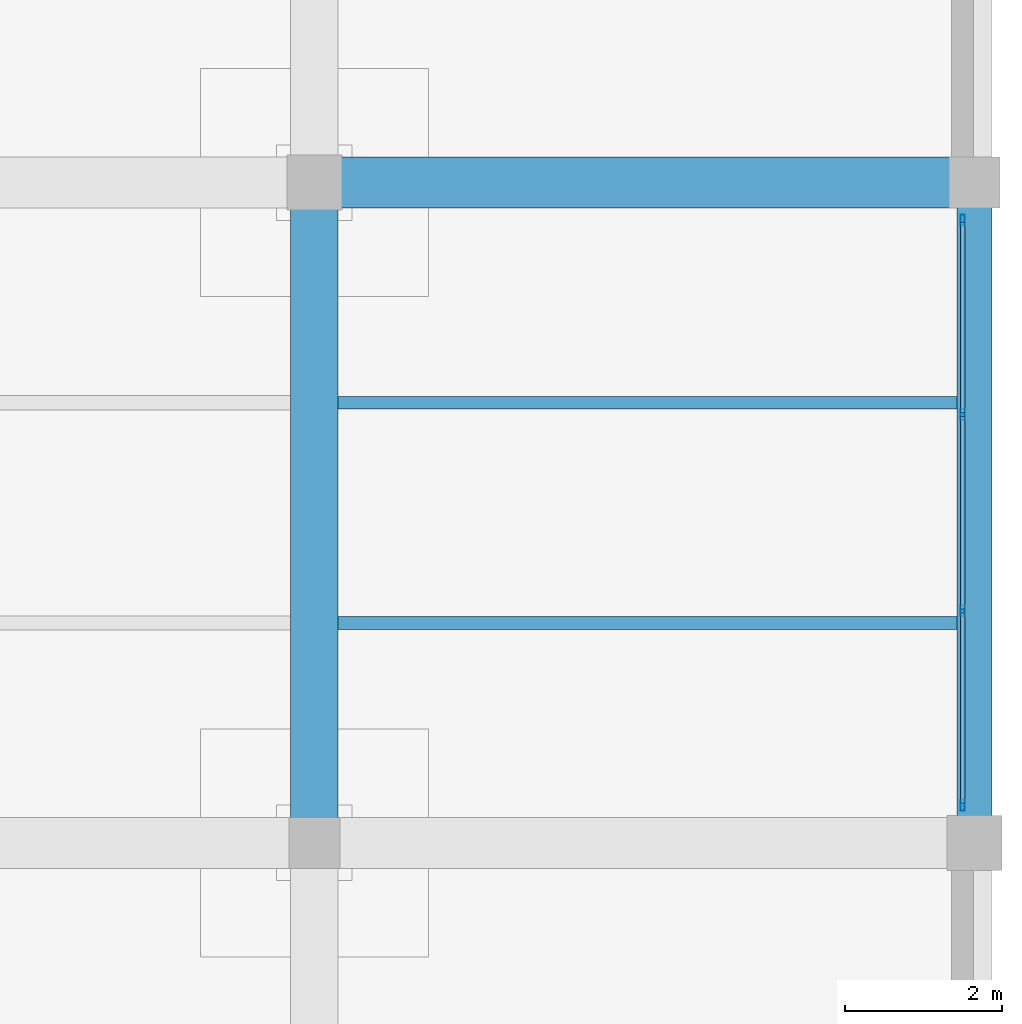
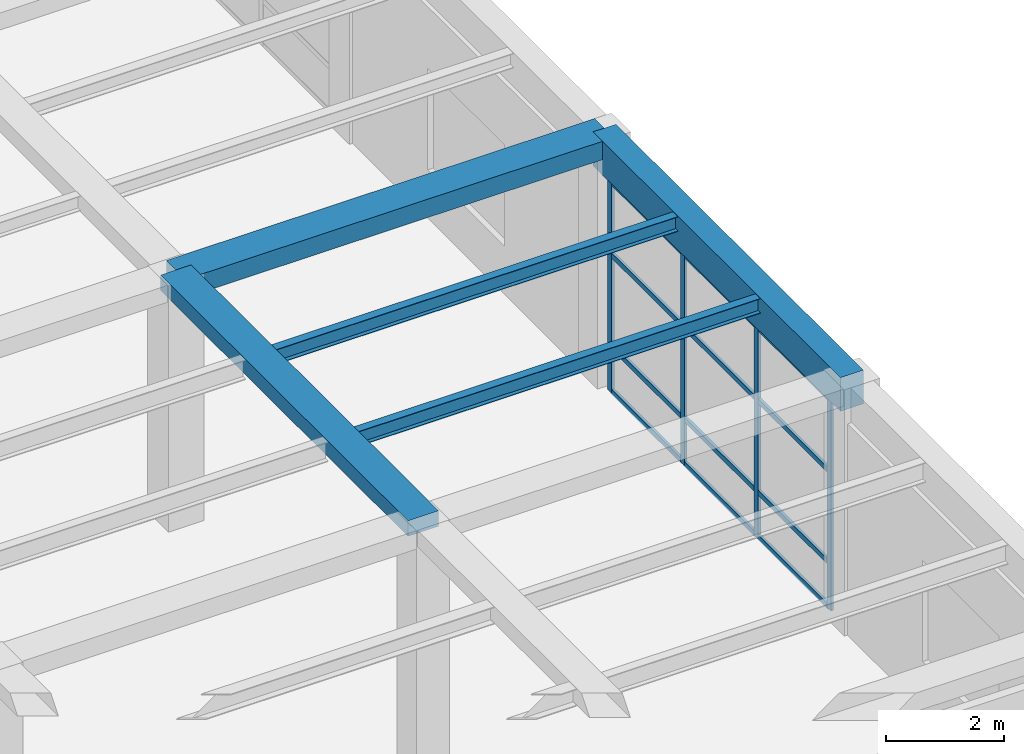
# One storey, part 54 of 96: 16 members, 5 beams, 1 element without a shape of its own.
"""IFC4 building model written with IfcOpenShell, lengths in metres."""

from ifc_helpers import new_model, si_unit, direction, frame, origin, origin_2d, place, context, subcontext, project, spatial, rectangle, hollow_rectangle, i_section, extrude, material, material_profile, profile_set, type_object, element, aggregate, save


model = new_model("IFC4")

# Units and contexts
model_context = context("Model", 3, precision=1e-05, world=origin(), true_north=direction((0.0, 1.0)))
body_context = subcontext(model_context, "Body", "Model", "MODEL_VIEW")
ifc_project = project(units=[si_unit("LENGTHUNIT", "METRE"), si_unit("AREAUNIT", "SQUARE_METRE"), si_unit("VOLUMEUNIT", "CUBIC_METRE"), si_unit("PLANEANGLEUNIT", "RADIAN"), si_unit("MASSUNIT", "GRAM", prefix="KILO")], contexts=[model_context])

# Site, building, storey
site_placement = place(None, origin())
site = spatial("IfcSite", under=ifc_project, at=site_placement, CompositionType="ELEMENT")
building_placement = place(site_placement, origin())
building = spatial("IfcBuilding", under=site, at=building_placement, Name="Almacenes y Pasaje Nevantli", CompositionType="ELEMENT")
storey_placement = place(building_placement, frame((0.0, 0.0, 6.0)))
storey = spatial("IfcBuildingStorey", under=building, at=storey_placement, Name="L02", CompositionType="ELEMENT", Elevation=6.0)

# Beams
ifc_material_1 = material(Name="Concrete C35/45", Category="concrete")
ifc_material_profile_1 = material_profile(ifc_material_1, rectangle(XDim=0.449951171875, YDim=0.699951171875, at=origin_2d()), Name="RC-BM-450x700")
ifc_profile_set_1 = profile_set([ifc_material_profile_1], Name="Concrete C35/45")
beam_type_1 = type_object("IfcBeamType", Name="BM-RC-450x700", PredefinedType="SPANDREL", material=ifc_profile_set_1)
beam_1_placement = place(storey_placement, frame((168.0, 50.39990234375, 4.75), z_axis=(0.0, 1.0, 0.0), x_axis=(-1.0, 0.0, 0.0)))
element("IfcBeam", 1, at=beam_1_placement, inside=storey, type_object=beam_type_1, Name="L02 North-South Reinforced Concrete Beam #2195", PredefinedType="SPANDREL", context=body_context, shape_type="SweptSolid", body=[
    extrude(rectangle(XDim=0.449951171875, YDim=0.699951171875, at=origin_2d()), origin(), (0.0, 0.0, 1.0), 8.400146484375),
])
ifc_material_2 = material(Name="Concrete C35/45", Category="concrete")
ifc_material_profile_2 = material_profile(ifc_material_2, rectangle(XDim=0.60009765625, YDim=0.320068359375, at=origin_2d()), Name="RC-BM-600x320")
ifc_profile_set_2 = profile_set([ifc_material_profile_2], Name="Concrete C35/45")
beam_type_2 = type_object("IfcBeamType", Name="BM-RC-600x320", PredefinedType="BEAM", material=ifc_profile_set_2)
beam_2_placement = place(storey_placement, frame((159.60009765625, 50.39990234375, 4.93994140625), z_axis=(0.0, 1.0, 0.0), x_axis=(-1.0, 0.0, 0.0)))
element("IfcBeam", 2, at=beam_2_placement, inside=storey, type_object=beam_type_2, Name="L02 North-South Reinforced Concrete Beam #2181", PredefinedType="BEAM", context=body_context, shape_type="SweptSolid", body=[
    extrude(rectangle(XDim=0.60009765625, YDim=0.320068359375, at=origin_2d()), origin(), (0.0, 0.0, 1.0), 8.400146484375),
])
ifc_material_3 = material(Name="Concrete C35/45", Category="concrete")
ifc_material_profile_3 = material_profile(ifc_material_3, rectangle(XDim=0.64990234375, YDim=0.3798828125, at=origin_2d()), Name="RC-BM-650x380")
ifc_profile_set_3 = profile_set([ifc_material_profile_3], Name="Concrete C35/45")
beam_type_3 = type_object("IfcBeamType", Name="BM-RC-650x380", PredefinedType="BEAM", material=ifc_profile_set_3)
beam_3_placement = place(storey_placement, frame((159.60009765625, 58.800048828125, 4.909912109375), z_axis=(1.0, 0.0, 0.0), x_axis=(0.0, 1.0, 0.0)))
element("IfcBeam", 3, at=beam_3_placement, inside=storey, type_object=beam_type_3, Name="L02 East-West Reinforced Concrete Beam #1846", PredefinedType="BEAM", context=body_context, shape_type="SweptSolid", body=[
    extrude(rectangle(XDim=0.64990234375, YDim=0.3798828125, at=origin_2d()), origin(), (0.0, 0.0, 1.0), 8.39990234375),
])
ifc_material_4 = material(Name="Steel ASTM A992", Category="steel")
ifc_material_profile_4 = material_profile(ifc_material_4, i_section(OverallWidth=0.1650390625, OverallDepth=0.306884765625, WebThickness=0.006591796875, FlangeThickness=0.01025390625, at=origin_2d()), Name="IR 305x44.6")
ifc_profile_set_4 = profile_set([ifc_material_profile_4], Name="Steel ASTM A992")
beam_type_4 = type_object("IfcBeamType", Name="BM-STL-IR-305x44p6", PredefinedType="JOIST", material=ifc_profile_set_4)
for number, where, z_axis, x_axis, name in (
    (4, (159.89990234375, 53.199951171875, 4.9384765625), (1.0, 0.0, 0.0), (0.0, 1.0, 0.0), "L02 Secondary Steel Floor Joist #661"),
    (5, (159.89990234375, 56.0, 4.9384765625), (1.0, 0.0, 0.0), (0.0, 1.0, 0.0), "L02 Secondary Steel Floor Joist #662"),
):
    element("IfcBeam", number, at=place(storey_placement, frame(where, z_axis=z_axis, x_axis=x_axis)), inside=storey, type_object=beam_type_4, Name=name, PredefinedType="JOIST", context=body_context, shape_type="SweptSolid", body=[
        extrude(i_section(OverallWidth=0.1650390625, OverallDepth=0.306884765625, WebThickness=0.006591796875, FlangeThickness=0.01025390625, at=origin_2d()), origin(), (0.0, 0.0, 1.0), 7.875),
    ])

# Curtain wall, members
ifc_material_5 = material(Name="Thermally Broken Aluminium and Low-E Glass", Category="aluminium")
curtain_wall_type = type_object("IfcCurtainWallType", Name="CW-UNIT-PODIUM", PredefinedType="USERDEFINED", material=ifc_material_5)
curtain_wall_placement = place(storey_placement, origin())
curtain_wall = element("IfcCurtainWall", 6, at=curtain_wall_placement, inside=storey, type_object=curtain_wall_type, Name="L02 East Office Wing Curtain Wall Bay 7", ObjectType="UNITIZED CURTAIN WALL", PredefinedType="USERDEFINED")
ifc_material_6 = material(Name="Thermally Broken Anodized Aluminium", Category="aluminium")
ifc_material_profile_5 = material_profile(ifc_material_6, hollow_rectangle(XDim=0.054931640625, YDim=0.139892578125, WallThickness=0.00341796875, at=origin_2d()), Name="ALU-MUL-55x140")
ifc_profile_set_5 = profile_set([ifc_material_profile_5], Name="Thermally Broken Anodized Aluminium")
member_type_1 = type_object("IfcMemberType", Name="CW-MUL-160", PredefinedType="MULLION", material=ifc_profile_set_5)
member_1_placement = place(storey_placement, frame((167.85009765625, 50.87744140625, 0.0), z_axis=(0.0, 0.0, 1.0), x_axis=(-1.0, 0.0, 0.0)))
member_1 = element("IfcMember", 7, at=member_1_placement, type_object=member_type_1, Name="CW-L02-021 mullion 1", PredefinedType="MULLION", context=body_context, shape_type="SweptSolid", body=[
    extrude(hollow_rectangle(XDim=0.054931640625, YDim=0.139892578125, WallThickness=0.00341796875, at=origin_2d()), origin(), (0.0, 0.0, 1.0), 4.3798828125),
])
member_2_placement = place(storey_placement, frame((167.85009765625, 53.35009765625, 0.0), z_axis=(0.0, 0.0, 1.0), x_axis=(-1.0, 0.0, 0.0)))
member_2 = element("IfcMember", 8, at=member_2_placement, type_object=member_type_1, Name="CW-L02-021 mullion 2", PredefinedType="MULLION", context=body_context, shape_type="SweptSolid", body=[
    extrude(hollow_rectangle(XDim=0.054931640625, YDim=0.139892578125, WallThickness=0.00341796875, at=origin_2d()), origin(), (0.0, 0.0, 1.0), 4.3798828125),
])
member_3_placement = place(storey_placement, frame((167.85009765625, 55.85009765625, 0.0), z_axis=(0.0, 0.0, 1.0), x_axis=(-1.0, 0.0, 0.0)))
member_3 = element("IfcMember", 9, at=member_3_placement, type_object=member_type_1, Name="CW-L02-021 mullion 3", PredefinedType="MULLION", context=body_context, shape_type="SweptSolid", body=[
    extrude(hollow_rectangle(XDim=0.054931640625, YDim=0.139892578125, WallThickness=0.00341796875, at=origin_2d()), origin(), (0.0, 0.0, 1.0), 4.3798828125),
])
member_4_placement = place(storey_placement, frame((167.85009765625, 58.322509765625, 0.0), z_axis=(0.0, 0.0, 1.0), x_axis=(-1.0, 0.0, 0.0)))
member_4 = element("IfcMember", 10, at=member_4_placement, type_object=member_type_1, Name="CW-L02-021 mullion 4", PredefinedType="MULLION", context=body_context, shape_type="SweptSolid", body=[
    extrude(hollow_rectangle(XDim=0.054931640625, YDim=0.139892578125, WallThickness=0.00341796875, at=origin_2d()), origin(), (0.0, 0.0, 1.0), 4.3798828125),
])
ifc_material_7 = material(Name="Thermally Broken Anodized Aluminium", Category="aluminium")
ifc_material_profile_6 = material_profile(ifc_material_7, hollow_rectangle(XDim=0.054931640625, YDim=0.10498046875, WallThickness=0.003173828125, at=origin_2d()), Name="ALU-TRN-55x105")
ifc_profile_set_6 = profile_set([ifc_material_profile_6], Name="Thermally Broken Anodized Aluminium")
member_type_2 = type_object("IfcMemberType", Name="CW-TRN-120", PredefinedType="USERDEFINED", material=ifc_profile_set_6)
member_5_placement = place(storey_placement, frame((167.85009765625, 50.905029296875, 0.027587890625), z_axis=(0.0, 1.0, 0.0), x_axis=(-1.0, 0.0, 0.0)))
member_5 = element("IfcMember", 11, at=member_5_placement, type_object=member_type_2, Name="CW-L02-021 transom 1.1", ObjectType="TRANSOM", PredefinedType="USERDEFINED", context=body_context, shape_type="SweptSolid", body=[
    extrude(hollow_rectangle(XDim=0.054931640625, YDim=0.10498046875, WallThickness=0.003173828125, at=origin_2d()), origin(), (0.0, 0.0, 1.0), 2.41748046875),
])
member_6_placement = place(storey_placement, frame((167.85009765625, 50.905029296875, 0.949951171875), z_axis=(0.0, 1.0, 0.0), x_axis=(-1.0, 0.0, 0.0)))
member_6 = element("IfcMember", 12, at=member_6_placement, type_object=member_type_2, Name="CW-L02-021 transom 1.2", ObjectType="TRANSOM", PredefinedType="USERDEFINED", context=body_context, shape_type="SweptSolid", body=[
    extrude(hollow_rectangle(XDim=0.054931640625, YDim=0.10498046875, WallThickness=0.003173828125, at=origin_2d()), origin(), (0.0, 0.0, 1.0), 2.41748046875),
])
member_7_placement = place(storey_placement, frame((167.85009765625, 50.905029296875, 2.85009765625), z_axis=(0.0, 1.0, 0.0), x_axis=(-1.0, 0.0, 0.0)))
member_7 = element("IfcMember", 13, at=member_7_placement, type_object=member_type_2, Name="CW-L02-021 transom 1.3", ObjectType="TRANSOM", PredefinedType="USERDEFINED", context=body_context, shape_type="SweptSolid", body=[
    extrude(hollow_rectangle(XDim=0.054931640625, YDim=0.10498046875, WallThickness=0.003173828125, at=origin_2d()), origin(), (0.0, 0.0, 1.0), 2.41748046875),
])
member_8_placement = place(storey_placement, frame((167.85009765625, 50.905029296875, 4.3525390625), z_axis=(0.0, 1.0, 0.0), x_axis=(-1.0, 0.0, 0.0)))
member_8 = element("IfcMember", 14, at=member_8_placement, type_object=member_type_2, Name="CW-L02-021 transom 1.4", ObjectType="TRANSOM", PredefinedType="USERDEFINED", context=body_context, shape_type="SweptSolid", body=[
    extrude(hollow_rectangle(XDim=0.054931640625, YDim=0.10498046875, WallThickness=0.003173828125, at=origin_2d()), origin(), (0.0, 0.0, 1.0), 2.41748046875),
])
member_9_placement = place(storey_placement, frame((167.85009765625, 53.37744140625, 0.027587890625), z_axis=(0.0, 1.0, 0.0), x_axis=(-1.0, 0.0, 0.0)))
member_9 = element("IfcMember", 15, at=member_9_placement, type_object=member_type_2, Name="CW-L02-021 transom 2.1", ObjectType="TRANSOM", PredefinedType="USERDEFINED", context=body_context, shape_type="SweptSolid", body=[
    extrude(hollow_rectangle(XDim=0.054931640625, YDim=0.10498046875, WallThickness=0.003173828125, at=origin_2d()), origin(), (0.0, 0.0, 1.0), 2.445068359375),
])
member_10_placement = place(storey_placement, frame((167.85009765625, 53.37744140625, 0.949951171875), z_axis=(0.0, 1.0, 0.0), x_axis=(-1.0, 0.0, 0.0)))
member_10 = element("IfcMember", 16, at=member_10_placement, type_object=member_type_2, Name="CW-L02-021 transom 2.2", ObjectType="TRANSOM", PredefinedType="USERDEFINED", context=body_context, shape_type="SweptSolid", body=[
    extrude(hollow_rectangle(XDim=0.054931640625, YDim=0.10498046875, WallThickness=0.003173828125, at=origin_2d()), origin(), (0.0, 0.0, 1.0), 2.445068359375),
])
member_11_placement = place(storey_placement, frame((167.85009765625, 53.37744140625, 2.85009765625), z_axis=(0.0, 1.0, 0.0), x_axis=(-1.0, 0.0, 0.0)))
member_11 = element("IfcMember", 17, at=member_11_placement, type_object=member_type_2, Name="CW-L02-021 transom 2.3", ObjectType="TRANSOM", PredefinedType="USERDEFINED", context=body_context, shape_type="SweptSolid", body=[
    extrude(hollow_rectangle(XDim=0.054931640625, YDim=0.10498046875, WallThickness=0.003173828125, at=origin_2d()), origin(), (0.0, 0.0, 1.0), 2.445068359375),
])
member_12_placement = place(storey_placement, frame((167.85009765625, 53.37744140625, 4.3525390625), z_axis=(0.0, 1.0, 0.0), x_axis=(-1.0, 0.0, 0.0)))
member_12 = element("IfcMember", 18, at=member_12_placement, type_object=member_type_2, Name="CW-L02-021 transom 2.4", ObjectType="TRANSOM", PredefinedType="USERDEFINED", context=body_context, shape_type="SweptSolid", body=[
    extrude(hollow_rectangle(XDim=0.054931640625, YDim=0.10498046875, WallThickness=0.003173828125, at=origin_2d()), origin(), (0.0, 0.0, 1.0), 2.445068359375),
])
member_13_placement = place(storey_placement, frame((167.85009765625, 55.87744140625, 0.027587890625), z_axis=(0.0, 1.0, 0.0), x_axis=(-1.0, 0.0, 0.0)))
member_13 = element("IfcMember", 19, at=member_13_placement, type_object=member_type_2, Name="CW-L02-021 transom 3.1", ObjectType="TRANSOM", PredefinedType="USERDEFINED", context=body_context, shape_type="SweptSolid", body=[
    extrude(hollow_rectangle(XDim=0.054931640625, YDim=0.10498046875, WallThickness=0.003173828125, at=origin_2d()), origin(), (0.0, 0.0, 1.0), 2.41748046875),
])
member_14_placement = place(storey_placement, frame((167.85009765625, 55.87744140625, 0.949951171875), z_axis=(0.0, 1.0, 0.0), x_axis=(-1.0, 0.0, 0.0)))
member_14 = element("IfcMember", 20, at=member_14_placement, type_object=member_type_2, Name="CW-L02-021 transom 3.2", ObjectType="TRANSOM", PredefinedType="USERDEFINED", context=body_context, shape_type="SweptSolid", body=[
    extrude(hollow_rectangle(XDim=0.054931640625, YDim=0.10498046875, WallThickness=0.003173828125, at=origin_2d()), origin(), (0.0, 0.0, 1.0), 2.41748046875),
])
member_15_placement = place(storey_placement, frame((167.85009765625, 55.87744140625, 2.85009765625), z_axis=(0.0, 1.0, 0.0), x_axis=(-1.0, 0.0, 0.0)))
member_15 = element("IfcMember", 21, at=member_15_placement, type_object=member_type_2, Name="CW-L02-021 transom 3.3", ObjectType="TRANSOM", PredefinedType="USERDEFINED", context=body_context, shape_type="SweptSolid", body=[
    extrude(hollow_rectangle(XDim=0.054931640625, YDim=0.10498046875, WallThickness=0.003173828125, at=origin_2d()), origin(), (0.0, 0.0, 1.0), 2.41748046875),
])
member_16_placement = place(storey_placement, frame((167.85009765625, 55.87744140625, 4.3525390625), z_axis=(0.0, 1.0, 0.0), x_axis=(-1.0, 0.0, 0.0)))
member_16 = element("IfcMember", 22, at=member_16_placement, type_object=member_type_2, Name="CW-L02-021 transom 3.4", ObjectType="TRANSOM", PredefinedType="USERDEFINED", context=body_context, shape_type="SweptSolid", body=[
    extrude(hollow_rectangle(XDim=0.054931640625, YDim=0.10498046875, WallThickness=0.003173828125, at=origin_2d()), origin(), (0.0, 0.0, 1.0), 2.41748046875),
])
aggregate(curtain_wall, [member_1, member_2, member_3, member_4, member_5, member_6, member_7, member_8, member_9, member_10, member_11, member_12, member_13, member_14, member_15, member_16])

save(model, "model.ifc")
